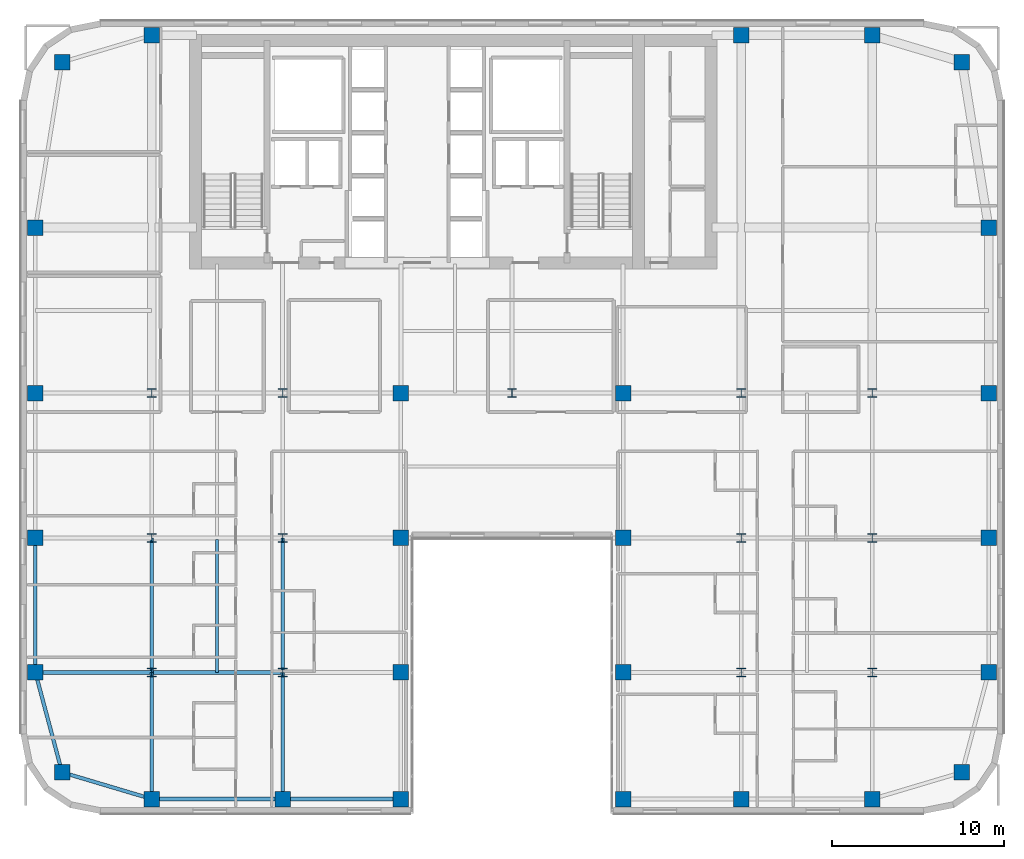
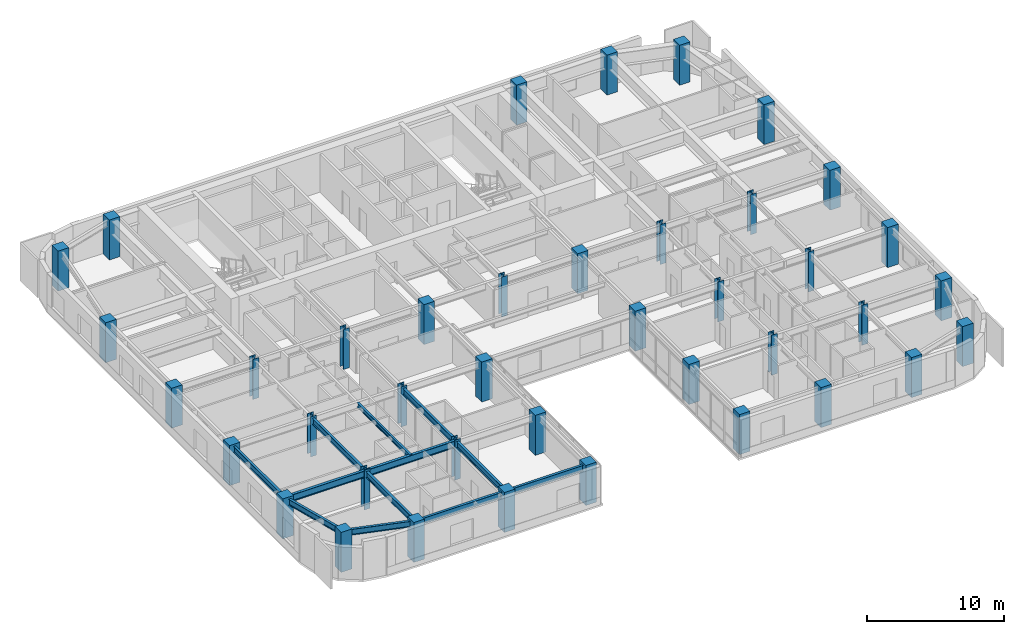
# One storey, part 1 of 25: 40 columns, 12 beams.
"""IFC4 building model written with IfcOpenShell, lengths in metres."""

from ifc_helpers import new_model, si_unit, direction, frame, origin, origin_2d, place, context, subcontext, project, spatial, rectangle, i_section, extrude, source, transform, mapped, material, material_profile, profile_set, type_object, type_shapes, element, save


model = new_model("IFC4")

# Units and contexts
model_context = context("Model", 3, precision=1e-05, world=origin(), true_north=direction((0.0, 1.0)))
body_context = subcontext(model_context, "Body", "Model", "MODEL_VIEW")
ifc_project = project(units=[si_unit("LENGTHUNIT", "METRE"), si_unit("AREAUNIT", "SQUARE_METRE"), si_unit("VOLUMEUNIT", "CUBIC_METRE"), si_unit("PLANEANGLEUNIT", "RADIAN"), si_unit("MASSUNIT", "GRAM", prefix="KILO")], contexts=[model_context])

# Site, building, storey
site_placement = place(None, origin())
site = spatial("IfcSite", under=ifc_project, at=site_placement, CompositionType="ELEMENT")
building_placement = place(site_placement, origin())
building = spatial("IfcBuilding", under=site, at=building_placement, Name="Tolvann Quenvar Hotel", CompositionType="ELEMENT")
storey_placement = place(building_placement, frame((0.0, 0.0, 111.550048828125)))
storey = spatial("IfcBuildingStorey", under=building, at=storey_placement, Name="L28", CompositionType="ELEMENT", Elevation=111.550048828125)

# Columns
ifc_material_1 = material(Name="Concrete S65 (65 MPa)", Category="concrete")
ifc_material_profile_1 = material_profile(ifc_material_1, rectangle(XDim=0.89990234375, YDim=0.89990234375, at=origin_2d()), Name="RC900x900")
ifc_profile_set_1 = profile_set([ifc_material_profile_1], Name="Concrete S65 (65 MPa)")
column_type_1 = type_object("IfcColumnType", Name="COL_RC900", PredefinedType="COLUMN", material=ifc_profile_set_1)
shared_shape_1 = source(origin(), body_context, "Body", "SweptSolid", [
    extrude(rectangle(XDim=0.89990234375, YDim=0.89990234375, at=origin_2d()), origin(), (0.0, 0.0, 1.0), 3.550048828125),
])
type_shapes(column_type_1, [shared_shape_1])
for number, where, z_axis, x_axis, name in (
    (1, (2.39990234375, 2.39990234375, 0.0), (0.0, 0.0, 1.0), (1.0, 0.0, 0.0), "Column B2 (L28)"),
    (2, (0.85009765625, 8.199951171875, 0.0), (0.0, 0.0, 1.0), (1.0, 0.0, 0.0), "Column B3 (L28)"),
    (3, (0.85009765625, 16.0, 0.0), (0.0, 0.0, 1.0), (1.0, 0.0, 0.0), "Column B4 (L28)"),
    (4, (0.85009765625, 24.39990234375, 0.0), (0.0, 0.0, 1.0), (1.0, 0.0, 0.0), "Column B5 (L28)"),
    (5, (7.60009765625, 0.85009765625, 0.0), (0.0, 0.0, 1.0), (1.0, 0.0, 0.0), "Column C2 (L28)"),
    (6, (15.199951171875, 0.85009765625, 0.0), (0.0, 0.0, 1.0), (1.0, 0.0, 0.0), "Column D2 (L28)"),
    (7, (22.050048828125, 0.85009765625, 0.0), (0.0, 0.0, 1.0), (1.0, 0.0, 0.0), "Column E2 (L28)"),
    (8, (22.050048828125, 8.199951171875, 0.0), (0.0, 0.0, 1.0), (1.0, 0.0, 0.0), "Column E3 (L28)"),
    (9, (22.050048828125, 16.0, 0.0), (0.0, 0.0, 1.0), (1.0, 0.0, 0.0), "Column E4 (L28)"),
    (10, (22.050048828125, 24.39990234375, 0.0), (0.0, 0.0, 1.0), (1.0, 0.0, 0.0), "Column E5 (L28)"),
    (11, (34.949951171875, 0.85009765625, 0.0), (0.0, 0.0, 1.0), (1.0, 0.0, 0.0), "Column F2 (L28)"),
    (12, (34.949951171875, 8.199951171875, 0.0), (0.0, 0.0, 1.0), (1.0, 0.0, 0.0), "Column F3 (L28)"),
    (13, (34.949951171875, 16.0, 0.0), (0.0, 0.0, 1.0), (1.0, 0.0, 0.0), "Column F4 (L28)"),
    (14, (34.949951171875, 24.39990234375, 0.0), (0.0, 0.0, 1.0), (1.0, 0.0, 0.0), "Column F5 (L28)"),
    (15, (41.800048828125, 0.85009765625, 0.0), (0.0, 0.0, 1.0), (1.0, 0.0, 0.0), "Column H2 (L28)"),
    (16, (49.39990234375, 0.85009765625, 0.0), (0.0, 0.0, 1.0), (1.0, 0.0, 0.0), "Column I2 (L28)"),
    (17, (54.60009765625, 2.39990234375, 0.0), (0.0, 0.0, 1.0), (1.0, 0.0, 0.0), "Column J2 (L28)"),
    (18, (56.14990234375, 8.199951171875, 0.0), (0.0, 0.0, 1.0), (1.0, 0.0, 0.0), "Column J3 (L28)"),
    (19, (56.14990234375, 16.0, 0.0), (0.0, 0.0, 1.0), (1.0, 0.0, 0.0), "Column J4 (L28)"),
    (20, (56.14990234375, 24.39990234375, 0.0), (0.0, 0.0, 1.0), (1.0, 0.0, 0.0), "Column J5 (L28)"),
    (21, (2.39990234375, 43.60009765625, 0.0), (0.0, 0.0, 1.0), (1.0, 0.0, 0.0), "Column BN (L28)"),
    (22, (7.60009765625, 45.14990234375, 0.0), (0.0, 0.0, 1.0), (1.0, 0.0, 0.0), "Column CN (L28)"),
    (23, (0.85009765625, 34.0, 0.0), (0.0, 0.0, 1.0), (1.0, 0.0, 0.0), "Column BD6 (L28)"),
    (24, (41.800048828125, 45.14990234375, 0.0), (0.0, 0.0, 1.0), (1.0, 0.0, 0.0), "Column HN (L28)"),
    (25, (49.39990234375, 45.14990234375, 0.0), (0.0, 0.0, 1.0), (1.0, 0.0, 0.0), "Column IN (L28)"),
    (26, (54.60009765625, 43.60009765625, 0.0), (0.0, 0.0, 1.0), (1.0, 0.0, 0.0), "Column JN (L28)"),
    (27, (56.14990234375, 34.0, 0.0), (0.0, 0.0, 1.0), (1.0, 0.0, 0.0), "Column JD6 (L28)"),
):
    element("IfcColumn", number, at=place(storey_placement, frame(where, z_axis=z_axis, x_axis=x_axis)), inside=storey, type_object=column_type_1, Name=name, PredefinedType="COLUMN", context=body_context, shape_type="MappedRepresentation", body=[
        mapped(shared_shape_1, transform((0.0, 0.0, 0.0), x_axis=(1.0, 0.0, 0.0), y_axis=(0.0, 1.0, 0.0), z_axis=(0.0, 0.0, 1.0), scale=1.0)),
    ])
ifc_material_2 = material(Name="Steel Grade 350", Category="steel")
ifc_material_profile_2 = material_profile(ifc_material_2, i_section(OverallWidth=0.5, OverallDepth=0.5, WebThickness=0.02197265625, FlangeThickness=0.033935546875, at=origin_2d()), Name="500WC340")
ifc_profile_set_2 = profile_set([ifc_material_profile_2], Name="Steel Grade 350")
column_type_2 = type_object("IfcColumnType", Name="COL_500WC340", PredefinedType="COLUMN", material=ifc_profile_set_2)
shared_shape_2 = source(origin(), body_context, "Body", "SweptSolid", [
    extrude(i_section(OverallWidth=0.5, OverallDepth=0.5, WebThickness=0.02197265625, FlangeThickness=0.033935546875, at=origin_2d()), origin(), (0.0, 0.0, 1.0), 3.550048828125),
])
type_shapes(column_type_2, [shared_shape_2])
for number, where, z_axis, x_axis, name in (
    (28, (7.60009765625, 8.199951171875, 0.0), (0.0, 0.0, 1.0), (1.0, 0.0, 0.0), "Column C3 (L28)"),
    (29, (7.60009765625, 16.0, 0.0), (0.0, 0.0, 1.0), (1.0, 0.0, 0.0), "Column C4 (L28)"),
    (30, (7.60009765625, 24.39990234375, 0.0), (0.0, 0.0, 1.0), (1.0, 0.0, 0.0), "Column C5 (L28)"),
    (31, (15.199951171875, 8.199951171875, 0.0), (0.0, 0.0, 1.0), (1.0, 0.0, 0.0), "Column D3 (L28)"),
    (32, (15.199951171875, 16.0, 0.0), (0.0, 0.0, 1.0), (1.0, 0.0, 0.0), "Column D4 (L28)"),
    (33, (15.199951171875, 24.39990234375, 0.0), (0.0, 0.0, 1.0), (1.0, 0.0, 0.0), "Column D5 (L28)"),
    (34, (41.800048828125, 8.199951171875, 0.0), (0.0, 0.0, 1.0), (1.0, 0.0, 0.0), "Column H3 (L28)"),
    (35, (41.800048828125, 16.0, 0.0), (0.0, 0.0, 1.0), (1.0, 0.0, 0.0), "Column H4 (L28)"),
    (36, (41.800048828125, 24.39990234375, 0.0), (0.0, 0.0, 1.0), (1.0, 0.0, 0.0), "Column H5 (L28)"),
    (37, (49.39990234375, 8.199951171875, 0.0), (0.0, 0.0, 1.0), (1.0, 0.0, 0.0), "Column I3 (L28)"),
    (38, (49.39990234375, 16.0, 0.0), (0.0, 0.0, 1.0), (1.0, 0.0, 0.0), "Column I4 (L28)"),
    (39, (49.39990234375, 24.39990234375, 0.0), (0.0, 0.0, 1.0), (1.0, 0.0, 0.0), "Column I5 (L28)"),
    (40, (28.5, 24.39990234375, 0.0), (0.0, 0.0, 1.0), (1.0, 0.0, 0.0), "Column M5 (L28)"),
):
    element("IfcColumn", number, at=place(storey_placement, frame(where, z_axis=z_axis, x_axis=x_axis)), inside=storey, type_object=column_type_2, Name=name, PredefinedType="COLUMN", context=body_context, shape_type="MappedRepresentation", body=[
        mapped(shared_shape_2, transform((0.0, 0.0, 0.0), x_axis=(1.0, 0.0, 0.0), y_axis=(0.0, 1.0, 0.0), z_axis=(0.0, 0.0, 1.0), scale=1.0)),
    ])

# Beams
ifc_material_profile_3 = material_profile(ifc_material_2, i_section(OverallWidth=0.208984375, OverallDepth=0.528076171875, WebThickness=0.009521484375, FlangeThickness=0.01318359375, FilletRadius=0.013916015625, at=origin_2d()), Name="530UB82")
ifc_profile_set_3 = profile_set([ifc_material_profile_3], Name="Steel Grade 350")
beam_type_1 = type_object("IfcBeamType", Name="BM_SPAND_530UB82", PredefinedType="SPANDREL", material=ifc_profile_set_3)
shared_shape_3 = source(origin(), body_context, "Body", "SweptSolid", [
    extrude(i_section(OverallWidth=0.208984375, OverallDepth=0.528076171875, WebThickness=0.009521484375, FlangeThickness=0.01318359375, FilletRadius=0.013916015625, at=origin_2d()), origin(), (0.0, 0.0, 1.0), 5.42626953125),
])
beam_1_placement = place(storey_placement, frame((2.39990234375, 2.39990234375, 3.10595703125), z_axis=(0.958344815522, -0.285613750654, 0.0), x_axis=(0.285613750654, 0.958344815522, 0.0)))
element("IfcBeam", 41, at=beam_1_placement, inside=storey, type_object=beam_type_1, Name="BM-L28-EW-2-B2-C2", PredefinedType="SPANDREL", context=body_context, shape_type="MappedRepresentation", body=[
    mapped(shared_shape_3, transform((0.0, 0.0, 0.0), x_axis=(1.0, 0.0, 0.0), y_axis=(0.0, 1.0, 0.0), z_axis=(0.0, 0.0, 1.0), scale=1.0)),
])
shared_shape_4 = source(origin(), body_context, "Body", "SweptSolid", [
    extrude(i_section(OverallWidth=0.208984375, OverallDepth=0.528076171875, WebThickness=0.009521484375, FlangeThickness=0.01318359375, FilletRadius=0.013916015625, at=origin_2d()), origin(), (0.0, 0.0, 1.0), 7.599853515625),
])
beam_2_placement = place(storey_placement, frame((7.60009765625, 0.85009765625, 3.10595703125), z_axis=(1.0, 0.0, 0.0), x_axis=(0.0, 1.0, 0.0)))
element("IfcBeam", 42, at=beam_2_placement, inside=storey, type_object=beam_type_1, Name="BM-L28-EW-2-C2-D2", PredefinedType="SPANDREL", context=body_context, shape_type="MappedRepresentation", body=[
    mapped(shared_shape_4, transform((0.0, 0.0, 0.0), x_axis=(1.0, 0.0, 0.0), y_axis=(0.0, 1.0, 0.0), z_axis=(0.0, 0.0, 1.0), scale=1.0)),
])
shared_shape_5 = source(origin(), body_context, "Body", "SweptSolid", [
    extrude(i_section(OverallWidth=0.208984375, OverallDepth=0.528076171875, WebThickness=0.009521484375, FlangeThickness=0.01318359375, FilletRadius=0.013916015625, at=origin_2d()), origin(), (0.0, 0.0, 1.0), 6.85009765625),
])
beam_3_placement = place(storey_placement, frame((15.199951171875, 0.85009765625, 3.10595703125), z_axis=(1.0, 0.0, 0.0), x_axis=(0.0, 1.0, 0.0)))
element("IfcBeam", 43, at=beam_3_placement, inside=storey, type_object=beam_type_1, Name="BM-L28-EW-2-D2-E2", PredefinedType="SPANDREL", context=body_context, shape_type="MappedRepresentation", body=[
    mapped(shared_shape_5, transform((0.0, 0.0, 0.0), x_axis=(1.0, 0.0, 0.0), y_axis=(0.0, 1.0, 0.0), z_axis=(0.0, 0.0, 1.0), scale=1.0)),
])
ifc_material_profile_4 = material_profile(ifc_material_2, i_section(OverallWidth=0.22900390625, OverallDepth=0.612060546875, WebThickness=0.011962890625, FlangeThickness=0.01953125, FilletRadius=0.013916015625, at=origin_2d()), Name="610UB125")
ifc_profile_set_4 = profile_set([ifc_material_profile_4], Name="Steel Grade 350")
beam_type_2 = type_object("IfcBeamType", Name="BM_GIRD_610UB125", PredefinedType="BEAM", material=ifc_profile_set_4)
shared_shape_6 = source(origin(), body_context, "Body", "SweptSolid", [
    extrude(i_section(OverallWidth=0.22900390625, OverallDepth=0.612060546875, WebThickness=0.011962890625, FlangeThickness=0.01953125, FilletRadius=0.013916015625, at=origin_2d()), origin(), (0.0, 0.0, 1.0), 6.75),
])
beam_4_placement = place(storey_placement, frame((0.85009765625, 8.199951171875, 3.06396484375), z_axis=(1.0, 0.0, 0.0), x_axis=(0.0, 1.0, 0.0)))
element("IfcBeam", 44, at=beam_4_placement, inside=storey, type_object=beam_type_2, Name="BM-L28-EW-3-B3-C3", PredefinedType="BEAM", context=body_context, shape_type="MappedRepresentation", body=[
    mapped(shared_shape_6, transform((0.0, 0.0, 0.0), x_axis=(1.0, 0.0, 0.0), y_axis=(0.0, 1.0, 0.0), z_axis=(0.0, 0.0, 1.0), scale=1.0)),
])
shared_shape_7 = source(origin(), body_context, "Body", "SweptSolid", [
    extrude(i_section(OverallWidth=0.22900390625, OverallDepth=0.612060546875, WebThickness=0.011962890625, FlangeThickness=0.01953125, FilletRadius=0.013916015625, at=origin_2d()), origin(), (0.0, 0.0, 1.0), 7.599853515625),
])
type_shapes(beam_type_2, [shared_shape_6, shared_shape_7])
beam_5_placement = place(storey_placement, frame((7.60009765625, 8.199951171875, 3.06396484375), z_axis=(1.0, 0.0, 0.0), x_axis=(0.0, 1.0, 0.0)))
element("IfcBeam", 45, at=beam_5_placement, inside=storey, type_object=beam_type_2, Name="BM-L28-EW-3-C3-D3", PredefinedType="BEAM", context=body_context, shape_type="MappedRepresentation", body=[
    mapped(shared_shape_7, transform((0.0, 0.0, 0.0), x_axis=(1.0, 0.0, 0.0), y_axis=(0.0, 1.0, 0.0), z_axis=(0.0, 0.0, 1.0), scale=1.0)),
])
shared_shape_8 = source(origin(), body_context, "Body", "SweptSolid", [
    extrude(i_section(OverallWidth=0.208984375, OverallDepth=0.528076171875, WebThickness=0.009521484375, FlangeThickness=0.01318359375, FilletRadius=0.013916015625, at=origin_2d()), origin(), (0.0, 0.0, 1.0), 6.00341796875),
])
beam_6_placement = place(storey_placement, frame((2.39990234375, 2.39990234375, 3.10595703125), z_axis=(-0.258148586649, 0.966105225745, 0.0), x_axis=(-0.966105225745, -0.258148586649, 0.0)))
element("IfcBeam", 46, at=beam_6_placement, inside=storey, type_object=beam_type_1, Name="BM-L28-NS-B2-B3", PredefinedType="SPANDREL", context=body_context, shape_type="MappedRepresentation", body=[
    mapped(shared_shape_8, transform((0.0, 0.0, 0.0), x_axis=(1.0, 0.0, 0.0), y_axis=(0.0, 1.0, 0.0), z_axis=(0.0, 0.0, 1.0), scale=1.0)),
])
shared_shape_9 = source(origin(), body_context, "Body", "SweptSolid", [
    extrude(i_section(OverallWidth=0.208984375, OverallDepth=0.528076171875, WebThickness=0.009521484375, FlangeThickness=0.01318359375, FilletRadius=0.013916015625, at=origin_2d()), origin(), (0.0, 0.0, 1.0), 7.800048828125),
])
type_shapes(beam_type_1, [shared_shape_3, shared_shape_4, shared_shape_5, shared_shape_8, shared_shape_9])
beam_7_placement = place(storey_placement, frame((0.85009765625, 8.199951171875, 3.10595703125), z_axis=(0.0, 1.0, 0.0), x_axis=(-1.0, 0.0, 0.0)))
element("IfcBeam", 47, at=beam_7_placement, inside=storey, type_object=beam_type_1, Name="BM-L28-NS-B3-B4", PredefinedType="SPANDREL", context=body_context, shape_type="MappedRepresentation", body=[
    mapped(shared_shape_9, transform((0.0, 0.0, 0.0), x_axis=(1.0, 0.0, 0.0), y_axis=(0.0, 1.0, 0.0), z_axis=(0.0, 0.0, 1.0), scale=1.0)),
])
ifc_material_profile_5 = material_profile(ifc_material_2, i_section(OverallWidth=0.208984375, OverallDepth=0.532958984375, WebThickness=0.01025390625, FlangeThickness=0.015625, FilletRadius=0.013916015625, at=origin_2d()), Name="530UB92")
ifc_profile_set_5 = profile_set([ifc_material_profile_5], Name="Steel Grade 350")
beam_type_3 = type_object("IfcBeamType", Name="BM_GIRD_530UB92", PredefinedType="BEAM", material=ifc_profile_set_5)
shared_shape_10 = source(origin(), body_context, "Body", "SweptSolid", [
    extrude(i_section(OverallWidth=0.208984375, OverallDepth=0.532958984375, WebThickness=0.01025390625, FlangeThickness=0.015625, FilletRadius=0.013916015625, at=origin_2d()), origin(), (0.0, 0.0, 1.0), 7.349853515625),
])
for number, where, z_axis, x_axis, name in (
    (48, (7.60009765625, 0.85009765625, 3.103515625), (0.0, 1.0, 0.0), (-1.0, 0.0, 0.0), "BM-L28-NS-C2-C3"),
    (49, (15.199951171875, 0.85009765625, 3.103515625), (0.0, 1.0, 0.0), (-1.0, 0.0, 0.0), "BM-L28-NS-D2-D3"),
):
    element("IfcBeam", number, at=place(storey_placement, frame(where, z_axis=z_axis, x_axis=x_axis)), inside=storey, type_object=beam_type_3, Name=name, PredefinedType="BEAM", context=body_context, shape_type="MappedRepresentation", body=[
        mapped(shared_shape_10, transform((0.0, 0.0, 0.0), x_axis=(1.0, 0.0, 0.0), y_axis=(0.0, 1.0, 0.0), z_axis=(0.0, 0.0, 1.0), scale=1.0)),
    ])
shared_shape_11 = source(origin(), body_context, "Body", "SweptSolid", [
    extrude(i_section(OverallWidth=0.208984375, OverallDepth=0.532958984375, WebThickness=0.01025390625, FlangeThickness=0.015625, FilletRadius=0.013916015625, at=origin_2d()), origin(), (0.0, 0.0, 1.0), 7.800048828125),
])
type_shapes(beam_type_3, [shared_shape_10, shared_shape_11])
for number, where, z_axis, x_axis, name in (
    (50, (7.60009765625, 8.199951171875, 3.103515625), (0.0, 1.0, 0.0), (-1.0, 0.0, 0.0), "BM-L28-NS-C3-C4"),
    (51, (15.199951171875, 8.199951171875, 3.103515625), (0.0, 1.0, 0.0), (-1.0, 0.0, 0.0), "BM-L28-NS-D3-D4"),
):
    element("IfcBeam", number, at=place(storey_placement, frame(where, z_axis=z_axis, x_axis=x_axis)), inside=storey, type_object=beam_type_3, Name=name, PredefinedType="BEAM", context=body_context, shape_type="MappedRepresentation", body=[
        mapped(shared_shape_11, transform((0.0, 0.0, 0.0), x_axis=(1.0, 0.0, 0.0), y_axis=(0.0, 1.0, 0.0), z_axis=(0.0, 0.0, 1.0), scale=1.0)),
    ])
ifc_material_profile_6 = material_profile(ifc_material_2, i_section(OverallWidth=0.177978515625, OverallDepth=0.406005859375, WebThickness=0.0078125, FlangeThickness=0.0126953125, FilletRadius=0.011474609375, at=origin_2d()), Name="410UB60")
ifc_profile_set_6 = profile_set([ifc_material_profile_6], Name="Steel Grade 350")
beam_type_4 = type_object("IfcBeamType", Name="BM_JOIST_410UB60", PredefinedType="JOIST", material=ifc_profile_set_6)
shared_shape_12 = source(origin(), body_context, "Body", "SweptSolid", [
    extrude(i_section(OverallWidth=0.177978515625, OverallDepth=0.406005859375, WebThickness=0.0078125, FlangeThickness=0.0126953125, FilletRadius=0.011474609375, at=origin_2d()), origin(), (0.0, 0.0, 1.0), 7.691650390625),
])
type_shapes(beam_type_4, [shared_shape_12])
beam_8_placement = place(storey_placement, frame((11.39990234375, 8.199951171875, 3.1669921875), z_axis=(0.0, 1.0, 0.0), x_axis=(-1.0, 0.0, 0.0)))
element("IfcBeam", 52, at=beam_8_placement, inside=storey, type_object=beam_type_4, Name="BJ-L28-114-82", PredefinedType="JOIST", context=body_context, shape_type="MappedRepresentation", body=[
    mapped(shared_shape_12, transform((0.0, 0.0, 0.0), x_axis=(1.0, 0.0, 0.0), y_axis=(0.0, 1.0, 0.0), z_axis=(0.0, 0.0, 1.0), scale=1.0)),
])

save(model, "model.ifc")
